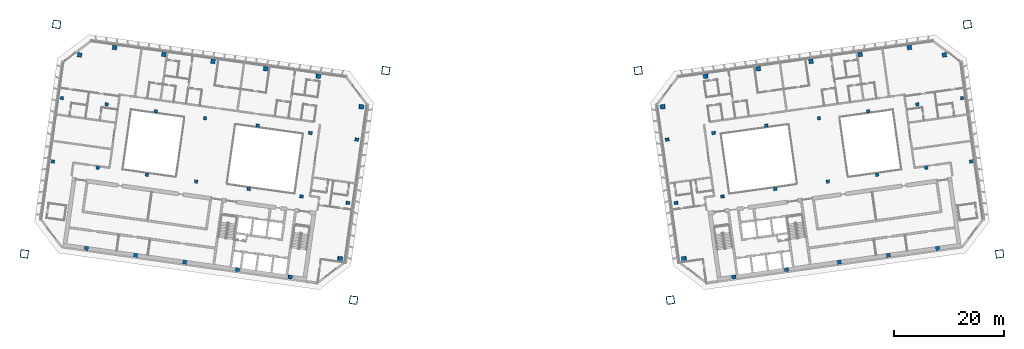
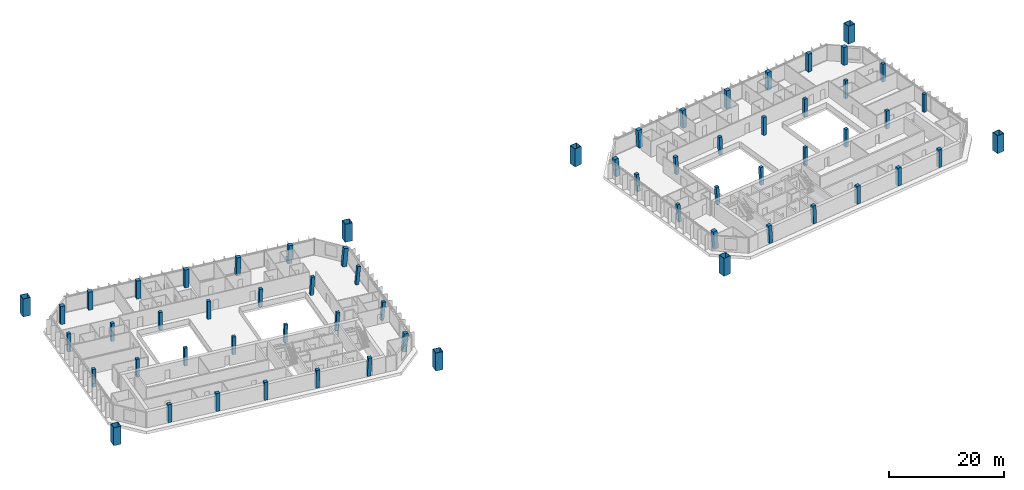
# One storey, part 1 of 22: 62 columns.
"""IFC4 building model written with IfcOpenShell, lengths in metres."""

import ifcopenshell
import ifcopenshell.guid

model = None  # the IFC model being written
_history = None  # IfcOwnerHistory: only IFC2X3 demands one
_inside = {}  # id of a spatial element -> (the spatial element, [elements in it])
_under = {}  # id of a project, library or spatial element -> (it, [spatial elements below it])
_declared = {}  # id of a project -> (the project, [libraries it declares])
_typed = {}  # id of a type object -> (the type object, [elements of that type])
_made_of = {}  # id of a material, layer set ... -> (it, [elements and type objects made of it])


def new_model(schema):
    """Start an empty IFC model of exactly this schema.

    Asked for "IFC4X3", IfcOpenShell would pick the latest addendum, in which some entities
    have other attributes; the version numbers below select the first issue.
    IFC2X3 requires an IfcOwnerHistory on every rooted entity: one is made here for all.
    """
    global model, _history
    if schema == "IFC4X3":
        model = ifcopenshell.file(schema_version=(4, 3, 0, 0))
    else:
        model = ifcopenshell.file(schema=schema)
    _inside.clear()
    _under.clear()
    _declared.clear()
    _typed.clear()
    _made_of.clear()
    _history = None
    if model.schema == "IFC2X3":
        org = make("IfcOrganization", Name="unknown")
        user = make(
            "IfcPersonAndOrganization",
            ThePerson=make("IfcPerson", FamilyName="unknown"),
            TheOrganization=org,
        )
        app = make(
            "IfcApplication",
            ApplicationDeveloper=org,
            Version="unknown",
            ApplicationFullName="unknown",
            ApplicationIdentifier="unknown",
        )
        _history = make(
            "IfcOwnerHistory",
            OwningUser=user,
            OwningApplication=app,
            ChangeAction="ADDED",
            CreationDate=0,
        )
    return model


def make(cls, **values):
    """One entity of the class cls with the attributes given. An attribute that is None is left unset."""
    return model.create_entity(
        cls, **{name: value for name, value in values.items() if value is not None}
    )


def rooted(cls, **values):
    """An entity with a GlobalId (a new one), such as an element, a storey or a relation."""
    return make(cls, GlobalId=ifcopenshell.guid.new(), OwnerHistory=_history, **values)


def si_unit(unit_type, name, prefix=None):
    """IfcSIUnit, for example si_unit("LENGTHUNIT", "METRE", prefix="MILLI")."""
    return make("IfcSIUnit", UnitType=unit_type, Prefix=prefix, Name=name)


def assignment(units):
    """IfcUnitAssignment: the units of a project."""
    return None if units is None else make("IfcUnitAssignment", Units=units)


def point(xyz):
    """IfcCartesianPoint."""
    return None if xyz is None else make("IfcCartesianPoint", Coordinates=xyz)


def direction(xyz):
    """IfcDirection."""
    return None if xyz is None else make("IfcDirection", DirectionRatios=xyz)


def frame(location, z_axis=None, x_axis=None):
    """IfcAxis2Placement3D, a coordinate frame: its origin and axes. An axis left out is left unset."""
    return make(
        "IfcAxis2Placement3D",
        Location=point(location),
        Axis=direction(z_axis),
        RefDirection=direction(x_axis),
    )


def frame_2d(location, x_axis=None):
    """IfcAxis2Placement2D, a coordinate frame in the plane: its origin and x axis."""
    return make(
        "IfcAxis2Placement2D", Location=point(location), RefDirection=direction(x_axis)
    )


def origin():
    """The frame at (0, 0, 0) with its axes left unset."""
    return frame((0.0, 0.0, 0.0))


def origin_2d():
    """The frame at (0, 0) in the plane with its x axis left unset."""
    return frame_2d((0.0, 0.0))


def place(relative_to, where):
    """IfcLocalPlacement: puts the frame where relative to a parent placement (None: the world)."""
    return make(
        "IfcLocalPlacement", PlacementRelTo=relative_to, RelativePlacement=where
    )


def context(
    kind, dimensions, precision=None, world=None, true_north=None, identifier=None
):
    """IfcGeometricRepresentationContext, for example the 3D "Model" context."""
    return make(
        "IfcGeometricRepresentationContext",
        ContextIdentifier=identifier,
        ContextType=kind,
        CoordinateSpaceDimension=dimensions,
        Precision=precision,
        WorldCoordinateSystem=world,
        TrueNorth=true_north,
    )


def subcontext(parent, identifier, kind, view, scale=None):
    """IfcGeometricRepresentationSubContext, for example "Body" below "Model"."""
    return make(
        "IfcGeometricRepresentationSubContext",
        ContextIdentifier=identifier,
        ContextType=kind,
        ParentContext=parent,
        TargetScale=scale,
        TargetView=view,
    )


def project(units=None, contexts=None):
    """IfcProject with its units and contexts."""
    return rooted(
        "IfcProject",
        Name="project",
        RepresentationContexts=contexts,
        UnitsInContext=assignment(units),
    )


def spatial(cls, under=None, at=None, **own):
    """A site, building, storey or space (cls), placed at a placement, below another one or the project."""
    s = rooted(cls, ObjectPlacement=at, **own)
    if under is not None:
        _under.setdefault(under.id(), (under, []))[1].append(s)
    return s


def profile(cls, at=None, kind="AREA", **sizes):
    """A parametric profile (cls). Its sizes go by their IFC names, for example OverallWidth=200.0."""
    return make(cls, ProfileType=kind, Position=at, **sizes)


def rectangle(**sizes):
    """IfcRectangleProfileDef."""
    return profile("IfcRectangleProfileDef", **sizes)


def hollow_rectangle(**sizes):
    """IfcRectangleHollowProfileDef."""
    return profile("IfcRectangleHollowProfileDef", **sizes)


def extrude(swept, where, along, depth):
    """IfcExtrudedAreaSolid: the profile swept, set in the frame where, extruded along a direction by depth."""
    return make(
        "IfcExtrudedAreaSolid",
        SweptArea=swept,
        Position=where,
        ExtrudedDirection=direction(along),
        Depth=depth,
    )


def shape(context_of_items, identifier, shape_type, items):
    """IfcShapeRepresentation: the items that make up one representation, for example the "Body"."""
    return make(
        "IfcShapeRepresentation",
        ContextOfItems=context_of_items,
        RepresentationIdentifier=identifier,
        RepresentationType=shape_type,
        Items=items,
    )


def material(Name=None, Category=None):
    """IfcMaterial."""
    return make("IfcMaterial", Name=Name, Category=Category)


def material_profile(
    of_material, cross_section, Name=None, Category=None, Priority=None
):
    """IfcMaterialProfile: a cross section and its material."""
    return make(
        "IfcMaterialProfile",
        Name=Name,
        Material=of_material,
        Profile=cross_section,
        Priority=Priority,
        Category=Category,
    )


def profile_set(profiles, Name=None, composite=None):
    """IfcMaterialProfileSet."""
    return make(
        "IfcMaterialProfileSet",
        Name=Name,
        MaterialProfiles=profiles,
        CompositeProfile=composite,
    )


def made_of(thing, what):
    """Note that an element or type object is made of a material, layer set ...; save() writes the relation."""
    if what is not None:
        _made_of.setdefault(what.id(), (what, []))[1].append(thing)
    return thing


def type_object(cls, material=None, **own):
    """A type object (cls), such as IfcWallType, which elements share."""
    return made_of(rooted(cls, **own), material)


def element(
    cls,
    number,
    at=None,
    inside=None,
    cuts=None,
    type_object=None,
    material=None,
    context=None,
    identifier="Body",
    shape_type=None,
    held_by="IfcProductDefinitionShape",
    body=None,
    shapes=None,
    **own,
):
    """One element of the class cls, such as IfcWall. Its Tag is "e" and its number.

    at: its placement. inside: the storey or other place that contains it. cuts: it is an
    opening in that element (IfcRelVoidsElement). A single representation is given by context,
    identifier, shape_type and body (its items); several are given by shapes. held_by: the class
    of the entity that holds the representations. save() writes the other relations.
    """
    e = rooted(cls, Tag="e%d" % number, ObjectPlacement=at, **own)
    if body is not None:
        shapes = [shape(context, identifier, shape_type, body)]
    if shapes is not None:
        e.Representation = make(held_by, Representations=shapes)
    if inside is not None:
        _inside.setdefault(inside.id(), (inside, []))[1].append(e)
    if cuts is not None:
        rooted(
            "IfcRelVoidsElement", RelatingBuildingElement=cuts, RelatedOpeningElement=e
        )
    if type_object is not None:
        _typed.setdefault(type_object.id(), (type_object, []))[1].append(e)
    return made_of(e, material)


def aggregate(whole, parts):
    """IfcRelAggregates: a whole, such as a stair, and the parts it consists of."""
    return rooted("IfcRelAggregates", RelatingObject=whole, RelatedObjects=parts)


def save(model, path):
    """Write the relations noted so far, then the file.

    IfcRelAggregates (storeys below a building ...), IfcRelContainedInSpatialStructure (elements
    in a storey), IfcRelDefinesByType, IfcRelAssociatesMaterial and IfcRelDeclares: one each for
    every whole, place, type object, material and project.
    """
    for whole, parts in _under.values():
        aggregate(whole, parts)
    for where, things in _inside.values():
        rooted(
            "IfcRelContainedInSpatialStructure",
            RelatedElements=things,
            RelatingStructure=where,
        )
    for kind, things in _typed.values():
        rooted("IfcRelDefinesByType", RelatedObjects=things, RelatingType=kind)
    for what, things in _made_of.values():
        rooted("IfcRelAssociatesMaterial", RelatedObjects=things, RelatingMaterial=what)
    for by, libraries in _declared.values():
        rooted("IfcRelDeclares", RelatingContext=by, RelatedDefinitions=libraries)
    model.write(path)


model = new_model("IFC4")

# Units and contexts
model_context = context("Model", 3, precision=1e-05, world=origin(), true_north=direction((0.0, 1.0)))
body_context = subcontext(model_context, "Body", "Model", "MODEL_VIEW")
ifc_project = project(units=[si_unit("LENGTHUNIT", "METRE"), si_unit("AREAUNIT", "SQUARE_METRE"), si_unit("VOLUMEUNIT", "CUBIC_METRE"), si_unit("PLANEANGLEUNIT", "RADIAN"), si_unit("MASSUNIT", "GRAM", prefix="KILO")], contexts=[model_context])

# Site, building, storey
site_placement = place(None, origin())
site = spatial("IfcSite", under=ifc_project, at=site_placement, CompositionType="ELEMENT")
building_placement = place(site_placement, origin())
building = spatial("IfcBuilding", under=site, at=building_placement, Name="Mirante Cascada Hotel Towers", CompositionType="ELEMENT")
storey_placement = place(building_placement, frame((0.0, 0.0, 191.6)))
storey = spatial("IfcBuildingStorey", under=building, at=storey_placement, Name="L45", CompositionType="ELEMENT", Elevation=191.6)

# Columns
ifc_material_1 = material(Name="Steel ASTM A572 Gr 50", Category="steel")
ifc_material_profile_1 = material_profile(ifc_material_1, hollow_rectangle(XDim=1.4, YDim=1.4, WallThickness=0.06, at=origin_2d()), Name="Box column 1400x1400x60 ASTM A572 Gr 50")
ifc_profile_set_1 = profile_set([ifc_material_profile_1], Name="Steel ASTM A572 Gr 50")
column_type_1 = type_object("IfcColumnType", Name="Box column 1400x1400x60 ASTM A572 Gr 50", PredefinedType="COLUMN", material=ifc_profile_set_1)
for number, where, z_axis, x_axis, name in (
    (1, (-22.873, 18.2047, 0.0), (0.0, 0.0, 1.0), (-0.9902681, 0.1391731, 0.0), "Mega column MC1 T1 L45"),
    (2, (-28.7182, -23.3865, 0.0), (0.0, 0.0, 1.0), (-0.9902681, 0.1391731, 0.0), "Mega column MC2 T1 L45"),
    (3, (-82.5324, 26.5893, 0.0), (0.0, 0.0, 1.0), (-0.9902681, 0.1391731, 0.0), "Mega column MC3 T1 L45"),
    (4, (-88.3776, -15.0019, 0.0), (0.0, 0.0, 1.0), (-0.9902681, 0.1391731, 0.0), "Mega column MC4 T1 L45"),
    (5, (22.873, 18.2047, 0.0), (0.0, 0.0, 1.0), (0.9902681, 0.1391731, 0.0), "Mega column MC1 T2 L45"),
    (6, (28.7182, -23.3865, 0.0), (0.0, 0.0, 1.0), (0.9902681, 0.1391731, 0.0), "Mega column MC2 T2 L45"),
    (7, (82.5324, 26.5893, 0.0), (0.0, 0.0, 1.0), (0.9902681, 0.1391731, 0.0), "Mega column MC3 T2 L45"),
    (8, (88.3776, -15.0019, 0.0), (0.0, 0.0, 1.0), (0.9902681, 0.1391731, 0.0), "Mega column MC4 T2 L45"),
):
    element("IfcColumn", number, at=place(storey_placement, frame(where, z_axis=z_axis, x_axis=x_axis)), inside=storey, type_object=column_type_1, Name=name, PredefinedType="COLUMN", context=body_context, shape_type="SweptSolid", body=[
        extrude(hollow_rectangle(XDim=1.4, YDim=1.4, WallThickness=0.06, at=origin_2d()), origin(), (0.0, 0.0, 1.0), 3.8),
    ])
ifc_material_2 = material(Name="Concrete C50/60", Category="concrete")
ifc_material_profile_2 = material_profile(ifc_material_2, rectangle(XDim=0.6, YDim=0.6, at=origin_2d()), Name="RC column 600x600 C50/60")
ifc_profile_set_2 = profile_set([ifc_material_profile_2], Name="Concrete C50/60")
column_type_2 = type_object("IfcColumnType", Name="RC column 600x600 C50/60", PredefinedType="COLUMN", material=ifc_profile_set_2)
for number, where, z_axis, x_axis, name in (
    (9, (-28.1799, 5.7218, 0.004), (0.088698, -0.0124498, 0.9959808), (0.1389987, 0.9902926, 0.0), "Column T1 L45 2"),
    (10, (-29.7943, -5.7653, 0.004), (0.088698, -0.0124498, 0.9959808), (0.1389987, 0.9902926, 0.0), "Column T1 L45 3"),
):
    element("IfcColumn", number, at=place(storey_placement, frame(where, z_axis=z_axis, x_axis=x_axis)), inside=storey, type_object=column_type_2, Name=name, PredefinedType="COLUMN", context=body_context, shape_type="SweptSolid", body=[
        extrude(rectangle(XDim=0.6, YDim=0.6, at=origin_2d()), origin(), (0.0, 0.0, 1.0), 3.8073),
    ])
for number, where, z_axis, x_axis, name in (
    (11, (-36.5788, 6.9022, 0.004), (0.0653111, -0.0091572, 0.9978229), (0.1388513, 0.9903132, 0.0), "Column T1 L45 6"),
    (12, (-38.1932, -4.5849, 0.004), (0.0653111, -0.0091835, 0.9978227), (0.1392426, 0.9902583, 0.0), "Column T1 L45 7"),
):
    element("IfcColumn", number, at=place(storey_placement, frame(where, z_axis=z_axis, x_axis=x_axis)), inside=storey, type_object=column_type_2, Name=name, PredefinedType="COLUMN", context=body_context, shape_type="SweptSolid", body=[
        extrude(rectangle(XDim=0.6, YDim=0.6, at=origin_2d()), origin(), (0.0, 0.0, 1.0), 3.8003),
    ])
for number, where, z_axis, x_axis, name in (
    (13, (-46.1083, 8.2415, 0.004), (0.0327089, -0.0045861, 0.9994544), (0.1388513, 0.9903132, 0.0), "Column T1 L45 10"),
    (14, (-47.7227, -3.2456, 0.004), (0.0327089, -0.0045861, 0.9994544), (0.1388513, 0.9903132, 0.0), "Column T1 L45 11"),
):
    element("IfcColumn", number, at=place(storey_placement, frame(where, z_axis=z_axis, x_axis=x_axis)), inside=storey, type_object=column_type_2, Name=name, PredefinedType="COLUMN", context=body_context, shape_type="SweptSolid", body=[
        extrude(rectangle(XDim=0.6, YDim=0.6, at=origin_2d()), origin(), (0.0, 0.0, 1.0), 3.7941),
    ])
for number, where, z_axis, x_axis, name in (
    (15, (-55.6378, 9.5808, 0.0), (0.0, 0.0, 1.0), (-0.9902681, 0.1391731, 0.0), "Column T1 L45 14"),
    (16, (-57.2522, -1.9063, 0.0), (0.0, 0.0, 1.0), (-0.9902681, 0.1391731, 0.0), "Column T1 L45 15"),
    (17, (-64.5502, 10.8333, 0.0), (0.0, 0.0, 1.0), (-0.9902681, 0.1391731, 0.0), "Column T1 L45 18"),
    (18, (-66.1646, -0.6538, 0.0), (0.0, 0.0, 1.0), (-0.9902681, 0.1391731, 0.0), "Column T1 L45 19"),
    (19, (-73.4626, 12.0859, 0.0), (0.0, 0.0, 1.0), (-0.9902681, 0.1391731, 0.0), "Column T1 L45 22"),
    (20, (-75.077, 0.5988, 0.0), (0.0, 0.0, 1.0), (-0.9902681, 0.1391731, 0.0), "Column T1 L45 23"),
    (21, (-81.5828, 13.2271, 0.0), (0.0, 0.0, 1.0), (-0.9902681, 0.1391731, 0.0), "Column T1 L45 26"),
    (22, (-83.1972, 1.74, 0.0), (0.0, 0.0, 1.0), (-0.9902681, 0.1391731, 0.0), "Column T1 L45 27"),
):
    element("IfcColumn", number, at=place(storey_placement, frame(where, z_axis=z_axis, x_axis=x_axis)), inside=storey, type_object=column_type_2, Name=name, PredefinedType="COLUMN", context=body_context, shape_type="SweptSolid", body=[
        extrude(rectangle(XDim=0.6, YDim=0.6, at=origin_2d()), origin(), (0.0, 0.0, 1.0), 3.8),
    ])
for number, where, z_axis, x_axis, name in (
    (23, (28.1799, 5.7218, 0.004), (-0.088698, -0.0124498, 0.9959808), (0.1389987, -0.9902926, 0.0), "Column T2 L45 2"),
    (24, (29.7943, -5.7653, 0.004), (-0.088698, -0.0124498, 0.9959808), (0.1389987, -0.9902926, 0.0), "Column T2 L45 3"),
):
    element("IfcColumn", number, at=place(storey_placement, frame(where, z_axis=z_axis, x_axis=x_axis)), inside=storey, type_object=column_type_2, Name=name, PredefinedType="COLUMN", context=body_context, shape_type="SweptSolid", body=[
        extrude(rectangle(XDim=0.6, YDim=0.6, at=origin_2d()), origin(), (0.0, 0.0, 1.0), 3.8073),
    ])
for number, where, z_axis, x_axis, name in (
    (25, (36.5788, 6.9022, 0.004), (-0.0653111, -0.0091572, 0.9978229), (0.1388513, -0.9903132, 0.0), "Column T2 L45 6"),
    (26, (38.1932, -4.5849, 0.004), (-0.0653111, -0.0091835, 0.9978227), (0.1392426, -0.9902583, 0.0), "Column T2 L45 7"),
):
    element("IfcColumn", number, at=place(storey_placement, frame(where, z_axis=z_axis, x_axis=x_axis)), inside=storey, type_object=column_type_2, Name=name, PredefinedType="COLUMN", context=body_context, shape_type="SweptSolid", body=[
        extrude(rectangle(XDim=0.6, YDim=0.6, at=origin_2d()), origin(), (0.0, 0.0, 1.0), 3.8003),
    ])
for number, where, z_axis, x_axis, name in (
    (27, (46.1083, 8.2415, 0.004), (-0.0327089, -0.0045861, 0.9994544), (0.1388513, -0.9903132, 0.0), "Column T2 L45 10"),
    (28, (47.7227, -3.2456, 0.004), (-0.0327089, -0.0045861, 0.9994544), (0.1388513, -0.9903132, 0.0), "Column T2 L45 11"),
):
    element("IfcColumn", number, at=place(storey_placement, frame(where, z_axis=z_axis, x_axis=x_axis)), inside=storey, type_object=column_type_2, Name=name, PredefinedType="COLUMN", context=body_context, shape_type="SweptSolid", body=[
        extrude(rectangle(XDim=0.6, YDim=0.6, at=origin_2d()), origin(), (0.0, 0.0, 1.0), 3.7941),
    ])
for number, where, z_axis, x_axis, name in (
    (29, (55.6378, 9.5808, 0.0), (0.0, 0.0, 1.0), (0.9902681, 0.1391731, 0.0), "Column T2 L45 14"),
    (30, (57.2522, -1.9063, 0.0), (0.0, 0.0, 1.0), (0.9902681, 0.1391731, 0.0), "Column T2 L45 15"),
    (31, (64.5502, 10.8333, 0.0), (0.0, 0.0, 1.0), (0.9902681, 0.1391731, 0.0), "Column T2 L45 18"),
    (32, (66.1646, -0.6538, 0.0), (0.0, 0.0, 1.0), (0.9902681, 0.1391731, 0.0), "Column T2 L45 19"),
    (33, (73.4626, 12.0859, 0.0), (0.0, 0.0, 1.0), (0.9902681, 0.1391731, 0.0), "Column T2 L45 22"),
    (34, (75.077, 0.5988, 0.0), (0.0, 0.0, 1.0), (0.9902681, 0.1391731, 0.0), "Column T2 L45 23"),
    (35, (81.5828, 13.2271, 0.0), (0.0, 0.0, 1.0), (0.9902681, 0.1391731, 0.0), "Column T2 L45 26"),
    (36, (83.1972, 1.74, 0.0), (0.0, 0.0, 1.0), (0.9902681, 0.1391731, 0.0), "Column T2 L45 27"),
):
    element("IfcColumn", number, at=place(storey_placement, frame(where, z_axis=z_axis, x_axis=x_axis)), inside=storey, type_object=column_type_2, Name=name, PredefinedType="COLUMN", context=body_context, shape_type="SweptSolid", body=[
        extrude(rectangle(XDim=0.6, YDim=0.6, at=origin_2d()), origin(), (0.0, 0.0, 1.0), 3.8),
    ])
ifc_material_3 = material(Name="Concrete C50/60", Category="concrete")
ifc_material_profile_3 = material_profile(ifc_material_3, rectangle(XDim=0.7, YDim=0.7, at=origin_2d()), Name="RC column 700x700 C50/60")
ifc_profile_set_3 = profile_set([ifc_material_profile_3], Name="Concrete C50/60")
column_type_3 = type_object("IfcColumnType", Name="RC column 700x700 C50/60", PredefinedType="COLUMN", material=ifc_profile_set_3)
column_1_placement = place(storey_placement, frame((-40.246, -19.1913, 0.004), z_axis=(0.0653111, -0.0091835, 0.9978227), x_axis=(0.1392426, 0.9902583, 0.0)))
element("IfcColumn", 37, at=column_1_placement, inside=storey, type_object=column_type_3, Name="Column T1 L45 8", PredefinedType="COLUMN", context=body_context, shape_type="SweptSolid", body=[
    extrude(rectangle(XDim=0.7, YDim=0.7, at=origin_2d()), origin(), (0.0, 0.0, 1.0), 3.8003),
])
column_2_placement = place(storey_placement, frame((-49.7755, -17.8521, 0.004), z_axis=(0.0327089, -0.0045861, 0.9994544), x_axis=(0.1388513, 0.9903132, 0.0)))
element("IfcColumn", 38, at=column_2_placement, inside=storey, type_object=column_type_3, Name="Column T1 L45 12", PredefinedType="COLUMN", context=body_context, shape_type="SweptSolid", body=[
    extrude(rectangle(XDim=0.7, YDim=0.7, at=origin_2d()), origin(), (0.0, 0.0, 1.0), 3.7941),
])
for number, where, z_axis, x_axis, name in (
    (39, (-59.305, -16.5128, 0.0), (0.0, 0.0, 1.0), (-0.9902681, 0.1391731, 0.0), "Column T1 L45 16"),
    (40, (-68.2174, -15.2602, 0.0), (0.0, 0.0, 1.0), (-0.9902681, 0.1391731, 0.0), "Column T1 L45 20"),
    (41, (-77.1298, -14.0077, 0.0), (0.0, 0.0, 1.0), (-0.9902681, 0.1391731, 0.0), "Column T1 L45 24"),
):
    element("IfcColumn", number, at=place(storey_placement, frame(where, z_axis=z_axis, x_axis=x_axis)), inside=storey, type_object=column_type_3, Name=name, PredefinedType="COLUMN", context=body_context, shape_type="SweptSolid", body=[
        extrude(rectangle(XDim=0.7, YDim=0.7, at=origin_2d()), origin(), (0.0, 0.0, 1.0), 3.8),
    ])
column_3_placement = place(storey_placement, frame((40.246, -19.1913, 0.004), z_axis=(-0.0653111, -0.0091835, 0.9978227), x_axis=(0.1392426, -0.9902583, 0.0)))
element("IfcColumn", 42, at=column_3_placement, inside=storey, type_object=column_type_3, Name="Column T2 L45 8", PredefinedType="COLUMN", context=body_context, shape_type="SweptSolid", body=[
    extrude(rectangle(XDim=0.7, YDim=0.7, at=origin_2d()), origin(), (0.0, 0.0, 1.0), 3.8003),
])
column_4_placement = place(storey_placement, frame((49.7755, -17.8521, 0.004), z_axis=(-0.0327089, -0.0045861, 0.9994544), x_axis=(0.1388513, -0.9903132, 0.0)))
element("IfcColumn", 43, at=column_4_placement, inside=storey, type_object=column_type_3, Name="Column T2 L45 12", PredefinedType="COLUMN", context=body_context, shape_type="SweptSolid", body=[
    extrude(rectangle(XDim=0.7, YDim=0.7, at=origin_2d()), origin(), (0.0, 0.0, 1.0), 3.7941),
])
for number, where, z_axis, x_axis, name in (
    (44, (59.305, -16.5128, 0.0), (0.0, 0.0, 1.0), (0.9902681, 0.1391731, 0.0), "Column T2 L45 16"),
    (45, (68.2174, -15.2602, 0.0), (0.0, 0.0, 1.0), (0.9902681, 0.1391731, 0.0), "Column T2 L45 20"),
    (46, (77.1298, -14.0077, 0.0), (0.0, 0.0, 1.0), (0.9902681, 0.1391731, 0.0), "Column T2 L45 24"),
):
    element("IfcColumn", number, at=place(storey_placement, frame(where, z_axis=z_axis, x_axis=x_axis)), inside=storey, type_object=column_type_3, Name=name, PredefinedType="COLUMN", context=body_context, shape_type="SweptSolid", body=[
        extrude(rectangle(XDim=0.7, YDim=0.7, at=origin_2d()), origin(), (0.0, 0.0, 1.0), 3.8),
    ])
ifc_material_4 = material(Name="Concrete C50/60", Category="concrete")
ifc_material_profile_4 = material_profile(ifc_material_4, rectangle(XDim=0.8, YDim=0.8, at=origin_2d()), Name="RC column 800x800 C50/60")
ifc_profile_set_4 = profile_set([ifc_material_profile_4], Name="Concrete C50/60")
column_type_4 = type_object("IfcColumnType", Name="RC column 800x800 C50/60", PredefinedType="COLUMN", material=ifc_profile_set_4)
for number, where, z_axis, x_axis, name in (
    (47, (-27.3449, 11.6634, 0.004), (0.088698, -0.0124498, 0.9959808), (0.1389987, 0.9902926, 0.0), "Column T1 L45 1"),
    (48, (-31.2139, -15.866, 0.004), (0.0886979, -0.012476, 0.9959804), (0.1392863, 0.9902522, 0.0), "Column T1 L45 4"),
):
    element("IfcColumn", number, at=place(storey_placement, frame(where, z_axis=z_axis, x_axis=x_axis)), inside=storey, type_object=column_type_4, Name=name, PredefinedType="COLUMN", context=body_context, shape_type="SweptSolid", body=[
        extrude(rectangle(XDim=0.8, YDim=0.8, at=origin_2d()), origin(), (0.0, 0.0, 1.0), 3.8073),
    ])
column_5_placement = place(storey_placement, frame((-35.1314, 17.201, 0.004), z_axis=(0.0653111, -0.0091835, 0.9978227), x_axis=(0.1392426, 0.9902583, 0.0)))
element("IfcColumn", 49, at=column_5_placement, inside=storey, type_object=column_type_4, Name="Column T1 L45 5", PredefinedType="COLUMN", context=body_context, shape_type="SweptSolid", body=[
    extrude(rectangle(XDim=0.8, YDim=0.8, at=origin_2d()), origin(), (0.0, 0.0, 1.0), 3.8003),
])
column_6_placement = place(storey_placement, frame((-44.6609, 18.5403, 0.004), z_axis=(0.0327089, -0.0045861, 0.9994544), x_axis=(0.1388513, 0.9903132, 0.0)))
element("IfcColumn", 50, at=column_6_placement, inside=storey, type_object=column_type_4, Name="Column T1 L45 9", PredefinedType="COLUMN", context=body_context, shape_type="SweptSolid", body=[
    extrude(rectangle(XDim=0.8, YDim=0.8, at=origin_2d()), origin(), (0.0, 0.0, 1.0), 3.7941),
])
for number, where, z_axis, x_axis, name in (
    (51, (-54.1904, 19.8796, 0.0), (0.0, 0.0, 1.0), (-0.9902681, 0.1391731, 0.0), "Column T1 L45 13"),
    (52, (-63.1028, 21.1321, 0.0), (0.0, 0.0, 1.0), (-0.9902681, 0.1391731, 0.0), "Column T1 L45 17"),
    (53, (-72.0152, 22.3847, 0.0), (0.0, 0.0, 1.0), (-0.9902681, 0.1391731, 0.0), "Column T1 L45 21"),
    (54, (-78.362, 21.0551, 0.0), (0.0, 0.0, 1.0), (-0.9902681, 0.1391731, 0.0), "Column T1 L45 25"),
):
    element("IfcColumn", number, at=place(storey_placement, frame(where, z_axis=z_axis, x_axis=x_axis)), inside=storey, type_object=column_type_4, Name=name, PredefinedType="COLUMN", context=body_context, shape_type="SweptSolid", body=[
        extrude(rectangle(XDim=0.8, YDim=0.8, at=origin_2d()), origin(), (0.0, 0.0, 1.0), 3.8),
    ])
for number, where, z_axis, x_axis, name in (
    (55, (27.3449, 11.6634, 0.004), (-0.088698, -0.0124498, 0.9959808), (0.1389987, -0.9902926, 0.0), "Column T2 L45 1"),
    (56, (31.2139, -15.866, 0.004), (-0.0886979, -0.012476, 0.9959804), (0.1392863, -0.9902522, 0.0), "Column T2 L45 4"),
):
    element("IfcColumn", number, at=place(storey_placement, frame(where, z_axis=z_axis, x_axis=x_axis)), inside=storey, type_object=column_type_4, Name=name, PredefinedType="COLUMN", context=body_context, shape_type="SweptSolid", body=[
        extrude(rectangle(XDim=0.8, YDim=0.8, at=origin_2d()), origin(), (0.0, 0.0, 1.0), 3.8073),
    ])
column_7_placement = place(storey_placement, frame((35.1314, 17.201, 0.004), z_axis=(-0.0653111, -0.0091835, 0.9978227), x_axis=(0.1392426, -0.9902583, 0.0)))
element("IfcColumn", 57, at=column_7_placement, inside=storey, type_object=column_type_4, Name="Column T2 L45 5", PredefinedType="COLUMN", context=body_context, shape_type="SweptSolid", body=[
    extrude(rectangle(XDim=0.8, YDim=0.8, at=origin_2d()), origin(), (0.0, 0.0, 1.0), 3.8003),
])
column_8_placement = place(storey_placement, frame((44.6609, 18.5403, 0.004), z_axis=(-0.0327089, -0.0045861, 0.9994544), x_axis=(0.1388513, -0.9903132, 0.0)))
element("IfcColumn", 58, at=column_8_placement, inside=storey, type_object=column_type_4, Name="Column T2 L45 9", PredefinedType="COLUMN", context=body_context, shape_type="SweptSolid", body=[
    extrude(rectangle(XDim=0.8, YDim=0.8, at=origin_2d()), origin(), (0.0, 0.0, 1.0), 3.7941),
])
for number, where, z_axis, x_axis, name in (
    (59, (54.1904, 19.8796, 0.0), (0.0, 0.0, 1.0), (0.9902681, 0.1391731, 0.0), "Column T2 L45 13"),
    (60, (63.1028, 21.1321, 0.0), (0.0, 0.0, 1.0), (0.9902681, 0.1391731, 0.0), "Column T2 L45 17"),
    (61, (72.0152, 22.3847, 0.0), (0.0, 0.0, 1.0), (0.9902681, 0.1391731, 0.0), "Column T2 L45 21"),
    (62, (78.362, 21.0551, 0.0), (0.0, 0.0, 1.0), (0.9902681, 0.1391731, 0.0), "Column T2 L45 25"),
):
    element("IfcColumn", number, at=place(storey_placement, frame(where, z_axis=z_axis, x_axis=x_axis)), inside=storey, type_object=column_type_4, Name=name, PredefinedType="COLUMN", context=body_context, shape_type="SweptSolid", body=[
        extrude(rectangle(XDim=0.8, YDim=0.8, at=origin_2d()), origin(), (0.0, 0.0, 1.0), 3.8),
    ])

save(model, "model.ifc")
